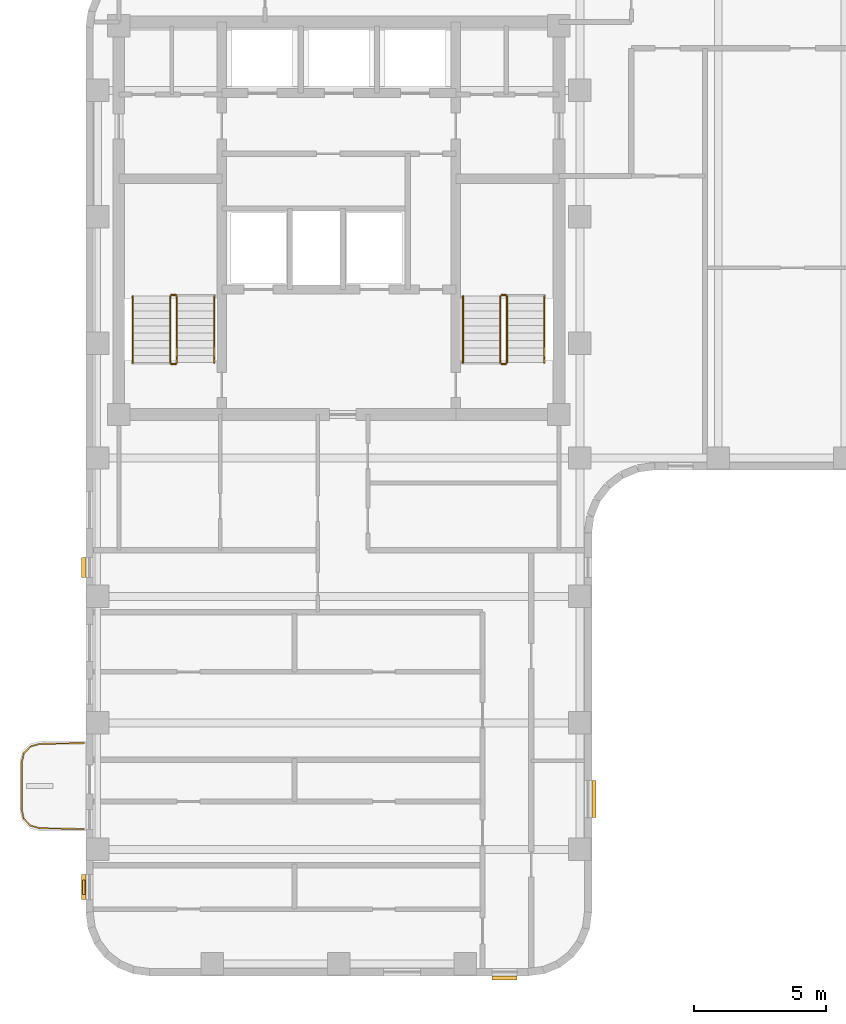
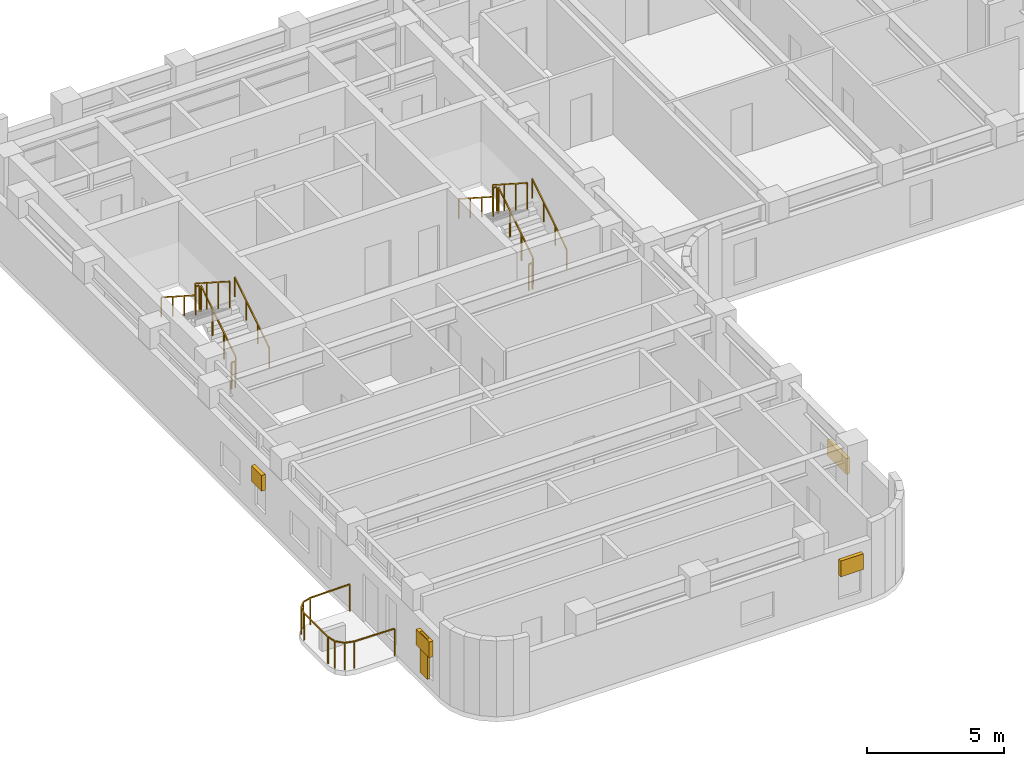
# One storey, part 8 of 10: 13 railings, 5 shading devices.
"""IFC4 building model written with IfcOpenShell, lengths in metres."""

from ifc_helpers import new_model, si_unit, direction, frame, origin, origin_2d, place, context, subcontext, project, spatial, rectangle, extrude, material, type_object, element, save


model = new_model("IFC4")

# Units and contexts
model_context = context("Model", 3, precision=1e-05, world=origin(), true_north=direction((0.0, 1.0)))
body_context = subcontext(model_context, "Body", "Model", "MODEL_VIEW")
ifc_project = project(units=[si_unit("LENGTHUNIT", "METRE"), si_unit("AREAUNIT", "SQUARE_METRE"), si_unit("VOLUMEUNIT", "CUBIC_METRE"), si_unit("PLANEANGLEUNIT", "RADIAN"), si_unit("MASSUNIT", "GRAM", prefix="KILO")], contexts=[model_context])

# Site, building, storey
site_placement = place(None, origin())
site = spatial("IfcSite", under=ifc_project, at=site_placement, CompositionType="ELEMENT")
building_placement = place(site_placement, origin())
building = spatial("IfcBuilding", under=site, at=building_placement, Name="Orvandelia Arch Residences", CompositionType="ELEMENT")
storey_placement = place(building_placement, frame((0.0, 0.0, 229.0)))
storey = spatial("IfcBuildingStorey", under=building, at=storey_placement, Name="L60", CompositionType="ELEMENT", Elevation=229.0)

# Railings
ifc_material_1 = material(Name="Marine-Grade Stainless Steel 316", Category="steel")
railing_type_1 = type_object("IfcRailingType", Name="GRD-BAL-1200", PredefinedType="BALUSTRADE", material=ifc_material_1)
railing_1_placement = place(storey_placement, frame((4.728271484375, 18.430419921875, 0.0)))
element("IfcRailing", 1, at=railing_1_placement, inside=storey, type_object=railing_type_1, Name="Safety Balustrade Guard GRD-L60-BAL-L60-W1-1", PredefinedType="BALUSTRADE", context=body_context, shape_type="SweptSolid", body=[
    extrude(rectangle(XDim=0.048095703125, YDim=0.048095703125, at=origin_2d()), frame((0.0, 0.0, 1.19580078125), z_axis=(-0.999834751713, -0.018178813668, 0.0), x_axis=(0.018178813668, -0.999834751713, 0.0)), (0.0, 0.0, 1.0), 1.6787109375),
    extrude(rectangle(XDim=0.048095703125, YDim=0.048095703125, at=origin_2d()), frame((-1.678466796875, -0.030517578125, 1.19580078125), z_axis=(-0.96348920644, -0.267747173792, 0.0), x_axis=(0.267747173792, -0.96348920644, 0.0)), (0.0, 0.0, 1.0), 0.36572265625),
    extrude(rectangle(XDim=0.048095703125, YDim=0.048095703125, at=origin_2d()), frame((-2.03076171875, -0.12841796875, 1.19580078125), z_axis=(-0.688627404251, -0.725115368831, 0.0), x_axis=(0.725115368831, -0.688627404251, 0.0)), (0.0, 0.0, 1.0), 0.367919921875),
    extrude(rectangle(XDim=0.048095703125, YDim=0.048095703125, at=origin_2d()), frame((-2.2841796875, -0.395263671875, 1.19580078125), z_axis=(-0.220602419982, -0.975363815352, 0.0), x_axis=(0.975363815352, -0.220602419982, 0.0)), (0.0, 0.0, 1.0), 0.373046875),
    extrude(rectangle(XDim=0.048095703125, YDim=0.048095703125, at=origin_2d()), frame((-2.366455078125, -0.759033203125, 1.19580078125), z_axis=(0.0, -1.0, 0.0), x_axis=(1.0, 0.0, 0.0)), (0.0, 0.0, 1.0), 1.74267578125),
    extrude(rectangle(XDim=0.048095703125, YDim=0.048095703125, at=origin_2d()), frame((-2.366455078125, -2.501708984375, 1.19580078125), z_axis=(0.220602419982, -0.975363815352, 0.0), x_axis=(0.975363815352, 0.220602419982, 0.0)), (0.0, 0.0, 1.0), 0.373046875),
    extrude(rectangle(XDim=0.048095703125, YDim=0.048095703125, at=origin_2d()), frame((-2.2841796875, -2.865478515625, 1.19580078125), z_axis=(0.688296224633, -0.725429739642, 0.0), x_axis=(0.725429739642, 0.688296224633, 0.0)), (0.0, 0.0, 1.0), 0.3681640625),
    extrude(rectangle(XDim=0.048095703125, YDim=0.048095703125, at=origin_2d()), frame((-2.03076171875, -3.132568359375, 1.19580078125), z_axis=(0.96348920644, -0.267747173792, 0.0), x_axis=(0.267747173792, 0.96348920644, 0.0)), (0.0, 0.0, 1.0), 0.36572265625),
    extrude(rectangle(XDim=0.048095703125, YDim=0.048095703125, at=origin_2d()), frame((-1.678466796875, -3.23046875, 1.19580078125), z_axis=(0.999837384468, -0.018033430643, 0.0), x_axis=(0.018033430643, 0.999837384468, 0.0)), (0.0, 0.0, 1.0), 1.6787109375),
    extrude(rectangle(XDim=0.0419921875, YDim=0.0419921875, at=origin_2d()), origin(), (0.0, 0.0, 1.0), 1.171875),
    extrude(rectangle(XDim=0.0419921875, YDim=0.0419921875, at=origin_2d()), frame((-1.678466796875, -0.030517578125, 0.0)), (0.0, 0.0, 1.0), 1.171875),
    extrude(rectangle(XDim=0.0419921875, YDim=0.0419921875, at=origin_2d()), frame((-2.03076171875, -0.12841796875, 0.0)), (0.0, 0.0, 1.0), 1.171875),
    extrude(rectangle(XDim=0.0419921875, YDim=0.0419921875, at=origin_2d()), frame((-2.2841796875, -0.395263671875, 0.0)), (0.0, 0.0, 1.0), 1.171875),
    extrude(rectangle(XDim=0.0419921875, YDim=0.0419921875, at=origin_2d()), frame((-2.366455078125, -0.759033203125, 0.0)), (0.0, 0.0, 1.0), 1.171875),
    extrude(rectangle(XDim=0.0419921875, YDim=0.0419921875, at=origin_2d()), frame((-2.366455078125, -2.501708984375, 0.0)), (0.0, 0.0, 1.0), 1.171875),
    extrude(rectangle(XDim=0.0419921875, YDim=0.0419921875, at=origin_2d()), frame((-2.2841796875, -2.865478515625, 0.0)), (0.0, 0.0, 1.0), 1.171875),
    extrude(rectangle(XDim=0.0419921875, YDim=0.0419921875, at=origin_2d()), frame((-2.03076171875, -3.132568359375, 0.0)), (0.0, 0.0, 1.0), 1.171875),
    extrude(rectangle(XDim=0.0419921875, YDim=0.0419921875, at=origin_2d()), frame((-1.678466796875, -3.23046875, 0.0)), (0.0, 0.0, 1.0), 1.171875),
    extrude(rectangle(XDim=0.0419921875, YDim=0.0419921875, at=origin_2d()), frame((0.0, -3.2607421875, 0.0)), (0.0, 0.0, 1.0), 1.171875),
])
ifc_material_2 = material(Name="Brushed Stainless Steel 304", Category="steel")
railing_type_2 = type_object("IfcRailingType", Name="RL-STAIR-GD1120", PredefinedType="GUARDRAIL", material=ifc_material_2)
railing_2_placement = place(storey_placement, frame((8.25, 32.8701171875, 0.179931640625)))
element("IfcRailing", 2, at=railing_2_placement, inside=storey, type_object=railing_type_2, Name="L60 ST-1 stair guard 1", PredefinedType="GUARDRAIL", context=body_context, shape_type="SweptSolid", body=[
    extrude(rectangle(XDim=0.048095703125, YDim=0.048095703125, at=origin_2d()), frame((0.0, 0.0, 1.17578125), z_axis=(0.0, 0.841138753965, 0.540819375188), x_axis=(-1.0, 0.0, 0.0)), (0.0, 0.0, 1.0), 2.99560546875),
    extrude(rectangle(XDim=0.0419921875, YDim=0.0419921875, at=origin_2d()), origin(), (0.0, 0.0, 1.0), 1.15185546875),
    extrude(rectangle(XDim=0.0419921875, YDim=0.0419921875, at=origin_2d()), frame((0.0, 0.83984375, 0.5400390625)), (0.0, 0.0, 1.0), 1.15185546875),
    extrude(rectangle(XDim=0.0419921875, YDim=0.0419921875, at=origin_2d()), frame((0.0, 1.679931640625, 1.080078125)), (0.0, 0.0, 1.0), 1.15185546875),
    extrude(rectangle(XDim=0.0419921875, YDim=0.0419921875, at=origin_2d()), frame((0.0, 2.519775390625, 1.6201171875)), (0.0, 0.0, 1.0), 1.15185546875),
])
railing_3_placement = place(storey_placement, frame((8.199951171875, 35.43994140625, 1.800048828125)))
element("IfcRailing", 3, at=railing_3_placement, inside=storey, type_object=railing_type_2, Name="L60 ST-1 stair guard 2", PredefinedType="GUARDRAIL", context=body_context, shape_type="SweptSolid", body=[
    extrude(rectangle(XDim=0.048095703125, YDim=0.048095703125, at=origin_2d()), frame((0.0, 0.0, 1.17578125), z_axis=(-1.0, 0.0, 0.0), x_axis=(0.0, -1.0, 0.0)), (0.0, 0.0, 1.0), 0.14990234375),
    extrude(rectangle(XDim=0.0419921875, YDim=0.0419921875, at=origin_2d()), origin(), (0.0, 0.0, 1.0), 1.15185546875),
    extrude(rectangle(XDim=0.0419921875, YDim=0.0419921875, at=origin_2d()), frame((-0.14990234375, 0.0, 0.0)), (0.0, 0.0, 1.0), 1.15185546875),
])
railing_4_placement = place(storey_placement, frame((8.0, 35.389892578125, 1.97998046875)))
element("IfcRailing", 4, at=railing_4_placement, inside=storey, type_object=railing_type_2, Name="L60 ST-1 stair guard 3", PredefinedType="GUARDRAIL", context=body_context, shape_type="SweptSolid", body=[
    extrude(rectangle(XDim=0.048095703125, YDim=0.048095703125, at=origin_2d()), frame((0.0, 0.0, 1.17578125), z_axis=(0.0, -0.841138753965, 0.540819375188), x_axis=(1.0, 0.0, 0.0)), (0.0, 0.0, 1.0), 2.99560546875),
    extrude(rectangle(XDim=0.0419921875, YDim=0.0419921875, at=origin_2d()), origin(), (0.0, 0.0, 1.0), 1.15185546875),
    extrude(rectangle(XDim=0.0419921875, YDim=0.0419921875, at=origin_2d()), frame((0.0, -0.83984375, 0.5400390625)), (0.0, 0.0, 1.0), 1.15185546875),
    extrude(rectangle(XDim=0.0419921875, YDim=0.0419921875, at=origin_2d()), frame((0.0, -1.679931640625, 1.080078125)), (0.0, 0.0, 1.0), 1.15185546875),
    extrude(rectangle(XDim=0.0419921875, YDim=0.0419921875, at=origin_2d()), frame((0.0, -2.519775390625, 1.6201171875)), (0.0, 0.0, 1.0), 1.15185546875),
])
railing_5_placement = place(storey_placement, frame((8.199951171875, 32.820068359375, 0.0)))
element("IfcRailing", 5, at=railing_5_placement, inside=storey, type_object=railing_type_2, Name="L60 ST-1 stair guard 4", PredefinedType="GUARDRAIL", context=body_context, shape_type="SweptSolid", body=[
    extrude(rectangle(XDim=0.048095703125, YDim=0.048095703125, at=origin_2d()), frame((0.0, 0.0, 1.17578125), z_axis=(-1.0, 0.0, 0.0), x_axis=(0.0, -1.0, 0.0)), (0.0, 0.0, 1.0), 0.14990234375),
    extrude(rectangle(XDim=0.0419921875, YDim=0.0419921875, at=origin_2d()), origin(), (0.0, 0.0, 1.0), 1.15185546875),
    extrude(rectangle(XDim=0.0419921875, YDim=0.0419921875, at=origin_2d()), frame((-0.14990234375, 0.0, 0.0)), (0.0, 0.0, 1.0), 1.15185546875),
])
railing_6_placement = place(storey_placement, frame((20.780029296875, 32.8701171875, 0.179931640625)))
element("IfcRailing", 6, at=railing_6_placement, inside=storey, type_object=railing_type_2, Name="L60 ST-2 stair guard 1", PredefinedType="GUARDRAIL", context=body_context, shape_type="SweptSolid", body=[
    extrude(rectangle(XDim=0.048095703125, YDim=0.048095703125, at=origin_2d()), frame((0.0, 0.0, 1.17578125), z_axis=(0.0, 0.841138753965, 0.540819375188), x_axis=(-1.0, 0.0, 0.0)), (0.0, 0.0, 1.0), 2.99560546875),
    extrude(rectangle(XDim=0.0419921875, YDim=0.0419921875, at=origin_2d()), origin(), (0.0, 0.0, 1.0), 1.15185546875),
    extrude(rectangle(XDim=0.0419921875, YDim=0.0419921875, at=origin_2d()), frame((0.0, 0.83984375, 0.5400390625)), (0.0, 0.0, 1.0), 1.15185546875),
    extrude(rectangle(XDim=0.0419921875, YDim=0.0419921875, at=origin_2d()), frame((0.0, 1.679931640625, 1.080078125)), (0.0, 0.0, 1.0), 1.15185546875),
    extrude(rectangle(XDim=0.0419921875, YDim=0.0419921875, at=origin_2d()), frame((0.0, 2.519775390625, 1.6201171875)), (0.0, 0.0, 1.0), 1.15185546875),
])
railing_7_placement = place(storey_placement, frame((20.72998046875, 35.43994140625, 1.800048828125)))
element("IfcRailing", 7, at=railing_7_placement, inside=storey, type_object=railing_type_2, Name="L60 ST-2 stair guard 2", PredefinedType="GUARDRAIL", context=body_context, shape_type="SweptSolid", body=[
    extrude(rectangle(XDim=0.048095703125, YDim=0.048095703125, at=origin_2d()), frame((0.0, 0.0, 1.17578125), z_axis=(-1.0, 0.0, 0.0), x_axis=(0.0, -1.0, 0.0)), (0.0, 0.0, 1.0), 0.14990234375),
    extrude(rectangle(XDim=0.0419921875, YDim=0.0419921875, at=origin_2d()), origin(), (0.0, 0.0, 1.0), 1.15185546875),
    extrude(rectangle(XDim=0.0419921875, YDim=0.0419921875, at=origin_2d()), frame((-0.14990234375, 0.0, 0.0)), (0.0, 0.0, 1.0), 1.15185546875),
])
railing_8_placement = place(storey_placement, frame((20.530029296875, 35.389892578125, 1.97998046875)))
element("IfcRailing", 8, at=railing_8_placement, inside=storey, type_object=railing_type_2, Name="L60 ST-2 stair guard 3", PredefinedType="GUARDRAIL", context=body_context, shape_type="SweptSolid", body=[
    extrude(rectangle(XDim=0.048095703125, YDim=0.048095703125, at=origin_2d()), frame((0.0, 0.0, 1.17578125), z_axis=(0.0, -0.841138753965, 0.540819375188), x_axis=(1.0, 0.0, 0.0)), (0.0, 0.0, 1.0), 2.99560546875),
    extrude(rectangle(XDim=0.0419921875, YDim=0.0419921875, at=origin_2d()), origin(), (0.0, 0.0, 1.0), 1.15185546875),
    extrude(rectangle(XDim=0.0419921875, YDim=0.0419921875, at=origin_2d()), frame((0.0, -0.83984375, 0.5400390625)), (0.0, 0.0, 1.0), 1.15185546875),
    extrude(rectangle(XDim=0.0419921875, YDim=0.0419921875, at=origin_2d()), frame((0.0, -1.679931640625, 1.080078125)), (0.0, 0.0, 1.0), 1.15185546875),
    extrude(rectangle(XDim=0.0419921875, YDim=0.0419921875, at=origin_2d()), frame((0.0, -2.519775390625, 1.6201171875)), (0.0, 0.0, 1.0), 1.15185546875),
])
railing_9_placement = place(storey_placement, frame((20.72998046875, 32.820068359375, 0.0)))
element("IfcRailing", 9, at=railing_9_placement, inside=storey, type_object=railing_type_2, Name="L60 ST-2 stair guard 4", PredefinedType="GUARDRAIL", context=body_context, shape_type="SweptSolid", body=[
    extrude(rectangle(XDim=0.048095703125, YDim=0.048095703125, at=origin_2d()), frame((0.0, 0.0, 1.17578125), z_axis=(-1.0, 0.0, 0.0), x_axis=(0.0, -1.0, 0.0)), (0.0, 0.0, 1.0), 0.14990234375),
    extrude(rectangle(XDim=0.0419921875, YDim=0.0419921875, at=origin_2d()), origin(), (0.0, 0.0, 1.0), 1.15185546875),
    extrude(rectangle(XDim=0.0419921875, YDim=0.0419921875, at=origin_2d()), frame((-0.14990234375, 0.0, 0.0)), (0.0, 0.0, 1.0), 1.15185546875),
])
railing_type_3 = type_object("IfcRailingType", Name="RL-STAIR-HR920", PredefinedType="HANDRAIL", material=ifc_material_2)
railing_10_placement = place(storey_placement, frame((9.669921875, 32.8701171875, 0.360107421875)))
element("IfcRailing", 10, at=railing_10_placement, inside=storey, type_object=railing_type_3, Name="L60 ST-1 stair handrail 1", PredefinedType="HANDRAIL", context=body_context, shape_type="SweptSolid", body=[
    extrude(rectangle(XDim=0.048095703125, YDim=0.048095703125, at=origin_2d()), frame((0.0, 0.0, 0.8759765625), z_axis=(0.0, 0.841175827307, 0.540761710511), x_axis=(-1.0, 0.0, 0.0)), (0.0, 0.0, 1.0), 2.99560546875),
    extrude(rectangle(XDim=0.0419921875, YDim=0.0419921875, at=origin_2d()), origin(), (0.0, 0.0, 1.0), 0.851806640625),
    extrude(rectangle(XDim=0.0419921875, YDim=0.0419921875, at=origin_2d()), frame((0.0, 0.83984375, 0.5400390625)), (0.0, 0.0, 1.0), 0.851806640625),
    extrude(rectangle(XDim=0.0419921875, YDim=0.0419921875, at=origin_2d()), frame((0.0, 1.679931640625, 1.079833984375)), (0.0, 0.0, 1.0), 0.851806640625),
    extrude(rectangle(XDim=0.0419921875, YDim=0.0419921875, at=origin_2d()), frame((0.0, 2.519775390625, 1.619873046875)), (0.0, 0.0, 1.0), 0.851806640625),
])
railing_11_placement = place(storey_placement, frame((6.580078125, 35.389892578125, 2.159912109375)))
element("IfcRailing", 11, at=railing_11_placement, inside=storey, type_object=railing_type_3, Name="L60 ST-1 stair handrail 2", PredefinedType="HANDRAIL", context=body_context, shape_type="SweptSolid", body=[
    extrude(rectangle(XDim=0.048095703125, YDim=0.048095703125, at=origin_2d()), frame((0.0, 0.0, 0.8759765625), z_axis=(0.0, -0.841138753965, 0.540819375188), x_axis=(1.0, 0.0, 0.0)), (0.0, 0.0, 1.0), 2.99560546875),
    extrude(rectangle(XDim=0.0419921875, YDim=0.0419921875, at=origin_2d()), origin(), (0.0, 0.0, 1.0), 0.851806640625),
    extrude(rectangle(XDim=0.0419921875, YDim=0.0419921875, at=origin_2d()), frame((0.0, -0.83984375, 0.5400390625)), (0.0, 0.0, 1.0), 0.851806640625),
    extrude(rectangle(XDim=0.0419921875, YDim=0.0419921875, at=origin_2d()), frame((0.0, -1.679931640625, 1.080078125)), (0.0, 0.0, 1.0), 0.851806640625),
    extrude(rectangle(XDim=0.0419921875, YDim=0.0419921875, at=origin_2d()), frame((0.0, -2.519775390625, 1.6201171875)), (0.0, 0.0, 1.0), 0.851806640625),
])
railing_12_placement = place(storey_placement, frame((22.199951171875, 32.8701171875, 0.360107421875)))
element("IfcRailing", 12, at=railing_12_placement, inside=storey, type_object=railing_type_3, Name="L60 ST-2 stair handrail 1", PredefinedType="HANDRAIL", context=body_context, shape_type="SweptSolid", body=[
    extrude(rectangle(XDim=0.048095703125, YDim=0.048095703125, at=origin_2d()), frame((0.0, 0.0, 0.8759765625), z_axis=(0.0, 0.841175827307, 0.540761710511), x_axis=(-1.0, 0.0, 0.0)), (0.0, 0.0, 1.0), 2.99560546875),
    extrude(rectangle(XDim=0.0419921875, YDim=0.0419921875, at=origin_2d()), origin(), (0.0, 0.0, 1.0), 0.851806640625),
    extrude(rectangle(XDim=0.0419921875, YDim=0.0419921875, at=origin_2d()), frame((0.0, 0.83984375, 0.5400390625)), (0.0, 0.0, 1.0), 0.851806640625),
    extrude(rectangle(XDim=0.0419921875, YDim=0.0419921875, at=origin_2d()), frame((0.0, 1.679931640625, 1.079833984375)), (0.0, 0.0, 1.0), 0.851806640625),
    extrude(rectangle(XDim=0.0419921875, YDim=0.0419921875, at=origin_2d()), frame((0.0, 2.519775390625, 1.619873046875)), (0.0, 0.0, 1.0), 0.851806640625),
])
railing_13_placement = place(storey_placement, frame((19.110107421875, 35.389892578125, 2.159912109375)))
element("IfcRailing", 13, at=railing_13_placement, inside=storey, type_object=railing_type_3, Name="L60 ST-2 stair handrail 2", PredefinedType="HANDRAIL", context=body_context, shape_type="SweptSolid", body=[
    extrude(rectangle(XDim=0.048095703125, YDim=0.048095703125, at=origin_2d()), frame((0.0, 0.0, 0.8759765625), z_axis=(0.0, -0.841138753965, 0.540819375188), x_axis=(1.0, 0.0, 0.0)), (0.0, 0.0, 1.0), 2.99560546875),
    extrude(rectangle(XDim=0.0419921875, YDim=0.0419921875, at=origin_2d()), origin(), (0.0, 0.0, 1.0), 0.851806640625),
    extrude(rectangle(XDim=0.0419921875, YDim=0.0419921875, at=origin_2d()), frame((0.0, -0.83984375, 0.5400390625)), (0.0, 0.0, 1.0), 0.851806640625),
    extrude(rectangle(XDim=0.0419921875, YDim=0.0419921875, at=origin_2d()), frame((0.0, -1.679931640625, 1.080078125)), (0.0, 0.0, 1.0), 0.851806640625),
    extrude(rectangle(XDim=0.0419921875, YDim=0.0419921875, at=origin_2d()), frame((0.0, -2.519775390625, 1.6201171875)), (0.0, 0.0, 1.0), 0.851806640625),
])

# Shading devices
ifc_material_3 = material(Name="Anodised Champagne-Bronze Extruded Aluminium", Category="aluminium")
shading_device_type_1 = type_object("IfcShadingDeviceType", Name="SHD-JALOUSIE-SCREEN", PredefinedType="JALOUSIE", material=ifc_material_3)
shading_device_1_placement = place(storey_placement, frame((24.080078125, 16.302490234375, 1.0498046875), z_axis=(0.0, 0.0, 1.0), x_axis=(0.0, -1.0, 0.0)))
element("IfcShadingDevice", 14, at=shading_device_1_placement, inside=storey, type_object=shading_device_type_1, Name="Bronze Jalousie Sun-Shade L60-004", PredefinedType="JALOUSIE", context=body_context, shape_type="SweptSolid", body=[
    extrude(rectangle(XDim=1.39990234375, YDim=0.159912109375, at=origin_2d()), origin(), (0.0, 0.0, 1.0), 0.699951171875),
])
for number, where, z_axis, x_axis, name in (
    (15, (20.695068359375, 9.52001953125, 1.5498046875), (0.0, 0.0, 1.0), (-1.0, 0.0, 0.0), "Bronze Jalousie Sun-Shade L60-005"),
    (16, (4.719970703125, 12.965087890625, 1.5498046875), (0.0, 0.0, 1.0), (0.0, 1.0, 0.0), "Bronze Jalousie Sun-Shade L60-006"),
):
    element("IfcShadingDevice", number, at=place(storey_placement, frame(where, z_axis=z_axis, x_axis=x_axis)), inside=storey, type_object=shading_device_type_1, Name=name, PredefinedType="JALOUSIE", context=body_context, shape_type="SweptSolid", body=[
        extrude(rectangle(XDim=0.949951171875, YDim=0.159912109375, at=origin_2d()), origin(), (0.0, 0.0, 1.0), 0.699951171875),
    ])
shading_device_2_placement = place(storey_placement, frame((4.719970703125, 25.092529296875, 1.5498046875), z_axis=(0.0, 0.0, 1.0), x_axis=(0.0, 1.0, 0.0)))
element("IfcShadingDevice", 17, at=shading_device_2_placement, inside=storey, type_object=shading_device_type_1, Name="Bronze Jalousie Sun-Shade L60-007", PredefinedType="JALOUSIE", context=body_context, shape_type="SweptSolid", body=[
    extrude(rectangle(XDim=0.75, YDim=0.159912109375, at=origin_2d()), origin(), (0.0, 0.0, 1.0), 0.699951171875),
])
ifc_material_4 = material(Name="Marine-Grade Perforated Aluminium Storm Shutter", Category="aluminium")
shading_device_type_2 = type_object("IfcShadingDeviceType", Name="SHD-STORM-SHUTTER", PredefinedType="SHUTTER", material=ifc_material_4)
shading_device_3_placement = place(storey_placement, frame((4.719970703125, 12.965087890625, 0.4501953125), z_axis=(0.0, 0.0, 1.0), x_axis=(0.0, 1.0, 0.0)))
element("IfcShadingDevice", 18, at=shading_device_3_placement, inside=storey, type_object=shading_device_type_2, Name="Operable Typhoon Storm Shutter L60-006", PredefinedType="SHUTTER", context=body_context, shape_type="SweptSolid", body=[
    extrude(rectangle(XDim=0.550048828125, YDim=0.080078125, at=origin_2d()), origin(), (0.0, 0.0, 1.0), 1.800048828125),
])

save(model, "model.ifc")
